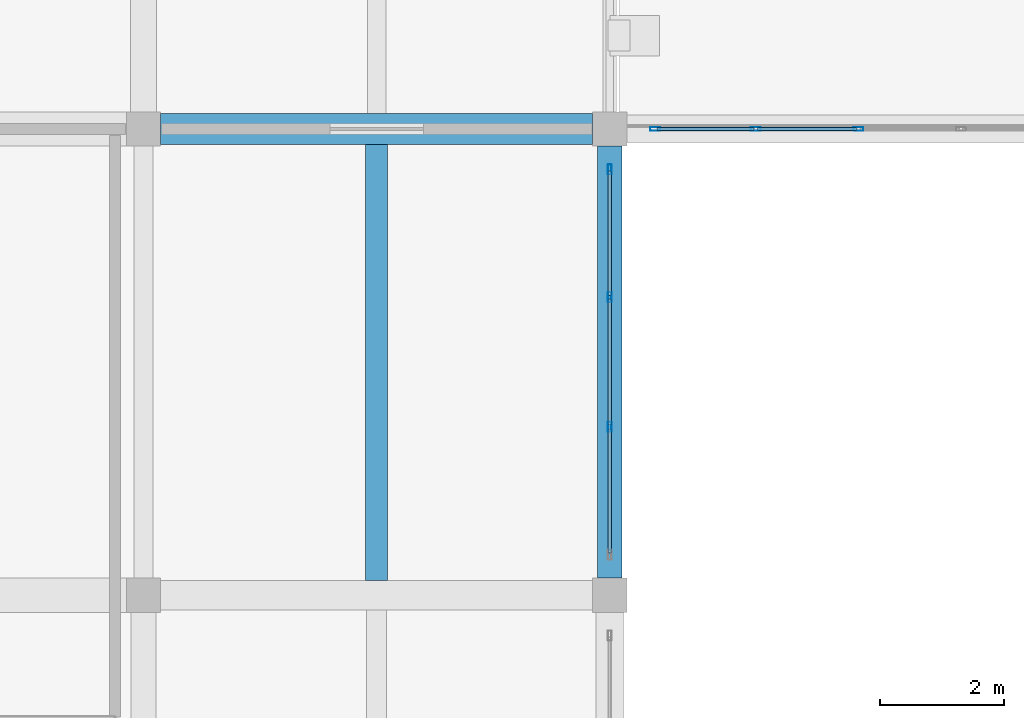
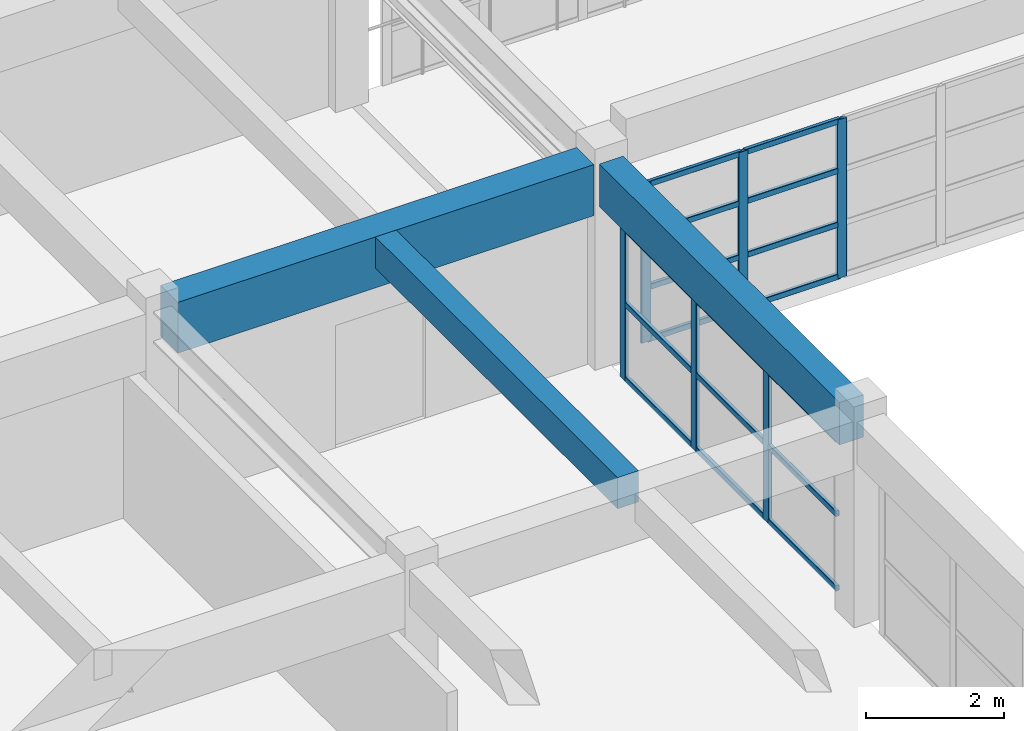
# One storey, part 11 of 101: 23 members, 3 beams, 2 elements without a shape of their own.
"""IFC4 building model written with IfcOpenShell, lengths in metres."""

from ifc_helpers import new_model, si_unit, direction, frame, origin, origin_2d, place, context, subcontext, project, spatial, rectangle, hollow_rectangle, extrude, material, material_profile, profile_set, type_object, element, aggregate, save


model = new_model("IFC4")

# Units and contexts
model_context = context("Model", 3, precision=1e-05, world=origin(), true_north=direction((0.0, 1.0)))
body_context = subcontext(model_context, "Body", "Model", "MODEL_VIEW")
ifc_project = project(units=[si_unit("LENGTHUNIT", "METRE"), si_unit("AREAUNIT", "SQUARE_METRE"), si_unit("VOLUMEUNIT", "CUBIC_METRE"), si_unit("PLANEANGLEUNIT", "RADIAN"), si_unit("MASSUNIT", "GRAM", prefix="KILO")], contexts=[model_context])

# Site, building, storey
site_placement = place(None, origin())
site = spatial("IfcSite", under=ifc_project, at=site_placement, CompositionType="ELEMENT")
building_placement = place(site_placement, origin())
building = spatial("IfcBuilding", under=site, at=building_placement, Name="Qasida Concert Hall", CompositionType="ELEMENT")
storey_placement = place(building_placement, frame((0.0, 0.0, 13.199951171875)))
storey = spatial("IfcBuildingStorey", under=building, at=storey_placement, Name="L03", CompositionType="ELEMENT", Elevation=13.199951171875)

# Beams
ifc_material_1 = material(Name="Concrete C40/50", Category="concrete")
ifc_material_profile_1 = material_profile(ifc_material_1, rectangle(XDim=0.5, YDim=0.89990234375, at=origin_2d()), Name="RC 500x900")
ifc_profile_set_1 = profile_set([ifc_material_profile_1], Name="Concrete C40/50")
beam_type_1 = type_object("IfcBeamType", Name="BM-G1", PredefinedType="USERDEFINED", material=ifc_profile_set_1)
beam_1_placement = place(storey_placement, frame((30.27490234375, 30.0, 3.170166015625), z_axis=(1.0, 0.0, 0.0), x_axis=(0.0, 1.0, 0.0)))
element("IfcBeam", 1, at=beam_1_placement, inside=storey, type_object=beam_type_1, Name="Primary girder 1606", ObjectType="GIRDER", PredefinedType="USERDEFINED", context=body_context, shape_type="SweptSolid", body=[
    extrude(rectangle(XDim=0.5, YDim=0.89990234375, at=origin_2d()), origin(), (0.0, 0.0, 1.0), 6.9501953125),
])
ifc_material_profile_2 = material_profile(ifc_material_1, rectangle(XDim=0.35009765625, YDim=0.550048828125, at=origin_2d()), Name="RC 350x550")
ifc_profile_set_2 = profile_set([ifc_material_profile_2], Name="Concrete C40/50")
beam_type_2 = type_object("IfcBeamType", Name="BM-J8", PredefinedType="JOIST", material=ifc_profile_set_2)
beam_2_placement = place(storey_placement, frame((33.75, 22.739990234375, 3.344970703125), z_axis=(0.0, 1.0, 0.0), x_axis=(-1.0, 0.0, 0.0)))
element("IfcBeam", 2, at=beam_2_placement, inside=storey, type_object=beam_type_2, Name="L03 secondary joist 1655", PredefinedType="JOIST", context=body_context, shape_type="SweptSolid", body=[
    extrude(rectangle(XDim=0.35009765625, YDim=0.550048828125, at=origin_2d()), origin(), (0.0, 0.0, 1.0), 7.010009765625),
])
ifc_material_profile_3 = material_profile(ifc_material_1, rectangle(XDim=0.39990234375, YDim=0.75, at=origin_2d()), Name="RC 400x750")
ifc_profile_set_3 = profile_set([ifc_material_profile_3], Name="Concrete C40/50")
beam_type_3 = type_object("IfcBeamType", Name="BM-SP1", PredefinedType="SPANDREL", material=ifc_profile_set_3)
beam_3_placement = place(storey_placement, frame((37.5, 22.77490234375, 3.2451171875), z_axis=(0.0, 1.0, 0.0), x_axis=(-1.0, 0.0, 0.0)))
element("IfcBeam", 3, at=beam_3_placement, inside=storey, type_object=beam_type_3, Name="L03 girder 1632", PredefinedType="SPANDREL", context=body_context, shape_type="SweptSolid", body=[
    extrude(rectangle(XDim=0.39990234375, YDim=0.75, at=origin_2d()), origin(), (0.0, 0.0, 1.0), 6.9501953125),
])

# Curtain wall, members
ifc_material_2 = material(Name="Architectural bronze-anodized aluminium and low-E glass", Category="aluminium")
curtain_wall_type = type_object("IfcCurtainWallType", Name="CW-09", PredefinedType="NOTDEFINED", material=ifc_material_2)
curtain_wall_1_placement = place(storey_placement, origin())
curtain_wall_1 = element("IfcCurtainWall", 4, at=curtain_wall_1_placement, inside=storey, type_object=curtain_wall_type, Name="L03 curtain wall CW-09 0126", PredefinedType="NOTDEFINED")
ifc_material_3 = material(Name="Architectural bronze-anodized aluminium EN AW-6063", Category="aluminium")
ifc_material_profile_4 = material_profile(ifc_material_3, hollow_rectangle(XDim=0.06005859375, YDim=0.159912109375, WallThickness=0.00390625, InnerFilletRadius=0.00390625, OuterFilletRadius=0.008056640625, at=origin_2d()), Name="CWM 160x60x4")
ifc_profile_set_4 = profile_set([ifc_material_profile_4], Name="Architectural bronze-anodized aluminium EN AW-6063")
member_type_1 = type_object("IfcMemberType", Name="MB-CWM-3", PredefinedType="MULLION", material=ifc_profile_set_4)
member_1_placement = place(storey_placement, frame((37.5, 25.206787109375, 0.0), z_axis=(0.0, 0.0, 1.0), x_axis=(-1.0, 0.0, 0.0)))
member_1 = element("IfcMember", 5, at=member_1_placement, type_object=member_type_1, Name="CW-09 mullion 2", PredefinedType="MULLION", context=body_context, shape_type="SweptSolid", body=[
    extrude(hollow_rectangle(XDim=0.06005859375, YDim=0.159912109375, WallThickness=0.00390625, InnerFilletRadius=0.00390625, OuterFilletRadius=0.008056640625, at=origin_2d()), origin(), (0.0, 0.0, 1.0), 2.68994140625),
])
member_2_placement = place(storey_placement, frame((37.5, 27.293212890625, 0.0), z_axis=(0.0, 0.0, 1.0), x_axis=(-1.0, 0.0, 0.0)))
member_2 = element("IfcMember", 6, at=member_2_placement, type_object=member_type_1, Name="CW-09 mullion 3", PredefinedType="MULLION", context=body_context, shape_type="SweptSolid", body=[
    extrude(hollow_rectangle(XDim=0.06005859375, YDim=0.159912109375, WallThickness=0.00390625, InnerFilletRadius=0.00390625, OuterFilletRadius=0.008056640625, at=origin_2d()), origin(), (0.0, 0.0, 1.0), 2.68994140625),
])
member_3_placement = place(storey_placement, frame((37.5, 29.35009765625, 0.0), z_axis=(0.0, 0.0, 1.0), x_axis=(-1.0, 0.0, 0.0)))
member_3 = element("IfcMember", 7, at=member_3_placement, type_object=member_type_1, Name="CW-09 mullion 4", PredefinedType="MULLION", context=body_context, shape_type="SweptSolid", body=[
    extrude(hollow_rectangle(XDim=0.06005859375, YDim=0.159912109375, WallThickness=0.00390625, InnerFilletRadius=0.00390625, OuterFilletRadius=0.008056640625, at=origin_2d()), origin(), (0.0, 0.0, 1.0), 2.68994140625),
])

curtain_wall_2_placement = place(storey_placement, origin())
curtain_wall_2 = element("IfcCurtainWall", 8, at=curtain_wall_2_placement, inside=storey, type_object=curtain_wall_type, Name="L03 link bridge glazing 0206", PredefinedType="NOTDEFINED")
member_4_placement = place(storey_placement, frame((38.22998046875, 30.0, 0.0), z_axis=(0.0, 0.0, 1.0), x_axis=(0.0, 1.0, 0.0)))
member_4 = element("IfcMember", 9, at=member_4_placement, type_object=member_type_1, Name="CW-09 mullion 1", PredefinedType="MULLION", context=body_context, shape_type="SweptSolid", body=[
    extrude(hollow_rectangle(XDim=0.06005859375, YDim=0.159912109375, WallThickness=0.00390625, InnerFilletRadius=0.00390625, OuterFilletRadius=0.008056640625, at=origin_2d()), origin(), (0.0, 0.0, 1.0), 2.800048828125),
])
member_5_placement = place(storey_placement, frame((39.85009765625, 30.0, 0.0), z_axis=(0.0, 0.0, 1.0), x_axis=(0.0, 1.0, 0.0)))
member_5 = element("IfcMember", 10, at=member_5_placement, type_object=member_type_1, Name="CW-09 mullion 2", PredefinedType="MULLION", context=body_context, shape_type="SweptSolid", body=[
    extrude(hollow_rectangle(XDim=0.06005859375, YDim=0.159912109375, WallThickness=0.00390625, InnerFilletRadius=0.00390625, OuterFilletRadius=0.008056640625, at=origin_2d()), origin(), (0.0, 0.0, 1.0), 2.800048828125),
])
member_6_placement = place(storey_placement, frame((41.5, 30.0, 0.0), z_axis=(0.0, 0.0, 1.0), x_axis=(0.0, 1.0, 0.0)))
member_6 = element("IfcMember", 11, at=member_6_placement, type_object=member_type_1, Name="CW-09 mullion 3", PredefinedType="MULLION", context=body_context, shape_type="SweptSolid", body=[
    extrude(hollow_rectangle(XDim=0.06005859375, YDim=0.159912109375, WallThickness=0.00390625, InnerFilletRadius=0.00390625, OuterFilletRadius=0.008056640625, at=origin_2d()), origin(), (0.0, 0.0, 1.0), 2.800048828125),
])

# Member
ifc_material_profile_5 = material_profile(ifc_material_3, hollow_rectangle(XDim=0.06005859375, YDim=0.10009765625, WallThickness=0.00341796875, InnerFilletRadius=0.00341796875, OuterFilletRadius=0.007080078125, at=origin_2d()), Name="CWT 100x60x3.5")
ifc_profile_set_5 = profile_set([ifc_material_profile_5], Name="Architectural bronze-anodized aluminium EN AW-6063")
member_type_2 = type_object("IfcMemberType", Name="MB-CWT-3", PredefinedType="USERDEFINED", material=ifc_profile_set_5)
member_7_placement = place(storey_placement, frame((37.5, 23.179931640625, 0.030029296875), z_axis=(0.0, 1.0, 0.0), x_axis=(-1.0, 0.0, 0.0)))
member_7 = element("IfcMember", 12, at=member_7_placement, type_object=member_type_2, Name="CW-09 transom 1.1", ObjectType="TRANSOM", PredefinedType="USERDEFINED", context=body_context, shape_type="SweptSolid", body=[
    extrude(hollow_rectangle(XDim=0.06005859375, YDim=0.10009765625, WallThickness=0.00341796875, InnerFilletRadius=0.00341796875, OuterFilletRadius=0.007080078125, at=origin_2d()), origin(), (0.0, 0.0, 1.0), 1.996826171875),
])

member_8_placement = place(storey_placement, frame((37.5, 23.179931640625, 1.344970703125), z_axis=(0.0, 1.0, 0.0), x_axis=(-1.0, 0.0, 0.0)))
member_8 = element("IfcMember", 13, at=member_8_placement, type_object=member_type_2, Name="CW-09 transom 1.2", ObjectType="TRANSOM", PredefinedType="USERDEFINED", context=body_context, shape_type="SweptSolid", body=[
    extrude(hollow_rectangle(XDim=0.06005859375, YDim=0.10009765625, WallThickness=0.00341796875, InnerFilletRadius=0.00341796875, OuterFilletRadius=0.007080078125, at=origin_2d()), origin(), (0.0, 0.0, 1.0), 1.996826171875),
])

member_9_placement = place(storey_placement, frame((37.5, 23.179931640625, 2.66015625), z_axis=(0.0, 1.0, 0.0), x_axis=(-1.0, 0.0, 0.0)))
member_9 = element("IfcMember", 14, at=member_9_placement, type_object=member_type_2, Name="CW-09 transom 1.3", ObjectType="TRANSOM", PredefinedType="USERDEFINED", context=body_context, shape_type="SweptSolid", body=[
    extrude(hollow_rectangle(XDim=0.06005859375, YDim=0.10009765625, WallThickness=0.00341796875, InnerFilletRadius=0.00341796875, OuterFilletRadius=0.007080078125, at=origin_2d()), origin(), (0.0, 0.0, 1.0), 1.996826171875),
])

member_10_placement = place(storey_placement, frame((37.5, 25.236572265625, 0.030029296875), z_axis=(0.0, 1.0, 0.0), x_axis=(-1.0, 0.0, 0.0)))
member_10 = element("IfcMember", 15, at=member_10_placement, type_object=member_type_2, Name="CW-09 transom 2.1", ObjectType="TRANSOM", PredefinedType="USERDEFINED", context=body_context, shape_type="SweptSolid", body=[
    extrude(hollow_rectangle(XDim=0.06005859375, YDim=0.10009765625, WallThickness=0.00341796875, InnerFilletRadius=0.00341796875, OuterFilletRadius=0.007080078125, at=origin_2d()), origin(), (0.0, 0.0, 1.0), 2.02685546875),
])

member_11_placement = place(storey_placement, frame((37.5, 25.236572265625, 1.344970703125), z_axis=(0.0, 1.0, 0.0), x_axis=(-1.0, 0.0, 0.0)))
member_11 = element("IfcMember", 16, at=member_11_placement, type_object=member_type_2, Name="CW-09 transom 2.2", ObjectType="TRANSOM", PredefinedType="USERDEFINED", context=body_context, shape_type="SweptSolid", body=[
    extrude(hollow_rectangle(XDim=0.06005859375, YDim=0.10009765625, WallThickness=0.00341796875, InnerFilletRadius=0.00341796875, OuterFilletRadius=0.007080078125, at=origin_2d()), origin(), (0.0, 0.0, 1.0), 2.02685546875),
])

member_12_placement = place(storey_placement, frame((37.5, 25.236572265625, 2.66015625), z_axis=(0.0, 1.0, 0.0), x_axis=(-1.0, 0.0, 0.0)))
member_12 = element("IfcMember", 17, at=member_12_placement, type_object=member_type_2, Name="CW-09 transom 2.3", ObjectType="TRANSOM", PredefinedType="USERDEFINED", context=body_context, shape_type="SweptSolid", body=[
    extrude(hollow_rectangle(XDim=0.06005859375, YDim=0.10009765625, WallThickness=0.00341796875, InnerFilletRadius=0.00341796875, OuterFilletRadius=0.007080078125, at=origin_2d()), origin(), (0.0, 0.0, 1.0), 2.02685546875),
])

member_13_placement = place(storey_placement, frame((37.5, 27.3232421875, 0.030029296875), z_axis=(0.0, 1.0, 0.0), x_axis=(-1.0, 0.0, 0.0)))
member_13 = element("IfcMember", 18, at=member_13_placement, type_object=member_type_2, Name="CW-09 transom 3.1", ObjectType="TRANSOM", PredefinedType="USERDEFINED", context=body_context, shape_type="SweptSolid", body=[
    extrude(hollow_rectangle(XDim=0.06005859375, YDim=0.10009765625, WallThickness=0.00341796875, InnerFilletRadius=0.00341796875, OuterFilletRadius=0.007080078125, at=origin_2d()), origin(), (0.0, 0.0, 1.0), 1.996826171875),
])

member_14_placement = place(storey_placement, frame((37.5, 27.3232421875, 1.344970703125), z_axis=(0.0, 1.0, 0.0), x_axis=(-1.0, 0.0, 0.0)))
member_14 = element("IfcMember", 19, at=member_14_placement, type_object=member_type_2, Name="CW-09 transom 3.2", ObjectType="TRANSOM", PredefinedType="USERDEFINED", context=body_context, shape_type="SweptSolid", body=[
    extrude(hollow_rectangle(XDim=0.06005859375, YDim=0.10009765625, WallThickness=0.00341796875, InnerFilletRadius=0.00341796875, OuterFilletRadius=0.007080078125, at=origin_2d()), origin(), (0.0, 0.0, 1.0), 1.996826171875),
])

member_15_placement = place(storey_placement, frame((37.5, 27.3232421875, 2.66015625), z_axis=(0.0, 1.0, 0.0), x_axis=(-1.0, 0.0, 0.0)))
member_15 = element("IfcMember", 20, at=member_15_placement, type_object=member_type_2, Name="CW-09 transom 3.3", ObjectType="TRANSOM", PredefinedType="USERDEFINED", context=body_context, shape_type="SweptSolid", body=[
    extrude(hollow_rectangle(XDim=0.06005859375, YDim=0.10009765625, WallThickness=0.00341796875, InnerFilletRadius=0.00341796875, OuterFilletRadius=0.007080078125, at=origin_2d()), origin(), (0.0, 0.0, 1.0), 1.996826171875),
])

aggregate(curtain_wall_1, [member_1, member_2, member_3, member_7, member_8, member_9, member_10, member_11, member_12, member_13, member_14, member_15])

member_16_placement = place(storey_placement, frame((38.260009765625, 30.0, 0.030029296875), z_axis=(1.0, 0.0, 0.0), x_axis=(0.0, 1.0, 0.0)))
member_16 = element("IfcMember", 21, at=member_16_placement, type_object=member_type_2, Name="CW-09 transom 1.1", ObjectType="TRANSOM", PredefinedType="USERDEFINED", context=body_context, shape_type="SweptSolid", body=[
    extrude(hollow_rectangle(XDim=0.06005859375, YDim=0.10009765625, WallThickness=0.00341796875, InnerFilletRadius=0.00341796875, OuterFilletRadius=0.007080078125, at=origin_2d()), origin(), (0.0, 0.0, 1.0), 1.56005859375),
])

member_17_placement = place(storey_placement, frame((38.260009765625, 30.0, 0.949951171875), z_axis=(1.0, 0.0, 0.0), x_axis=(0.0, 1.0, 0.0)))
member_17 = element("IfcMember", 22, at=member_17_placement, type_object=member_type_2, Name="CW-09 transom 1.2", ObjectType="TRANSOM", PredefinedType="USERDEFINED", context=body_context, shape_type="SweptSolid", body=[
    extrude(hollow_rectangle(XDim=0.06005859375, YDim=0.10009765625, WallThickness=0.00341796875, InnerFilletRadius=0.00341796875, OuterFilletRadius=0.007080078125, at=origin_2d()), origin(), (0.0, 0.0, 1.0), 1.56005859375),
])

member_18_placement = place(storey_placement, frame((38.260009765625, 30.0, 1.900146484375), z_axis=(1.0, 0.0, 0.0), x_axis=(0.0, 1.0, 0.0)))
member_18 = element("IfcMember", 23, at=member_18_placement, type_object=member_type_2, Name="CW-09 transom 1.3", ObjectType="TRANSOM", PredefinedType="USERDEFINED", context=body_context, shape_type="SweptSolid", body=[
    extrude(hollow_rectangle(XDim=0.06005859375, YDim=0.10009765625, WallThickness=0.00341796875, InnerFilletRadius=0.00341796875, OuterFilletRadius=0.007080078125, at=origin_2d()), origin(), (0.0, 0.0, 1.0), 1.56005859375),
])

member_19_placement = place(storey_placement, frame((38.260009765625, 30.0, 2.77001953125), z_axis=(1.0, 0.0, 0.0), x_axis=(0.0, 1.0, 0.0)))
member_19 = element("IfcMember", 24, at=member_19_placement, type_object=member_type_2, Name="CW-09 transom 1.4", ObjectType="TRANSOM", PredefinedType="USERDEFINED", context=body_context, shape_type="SweptSolid", body=[
    extrude(hollow_rectangle(XDim=0.06005859375, YDim=0.10009765625, WallThickness=0.00341796875, InnerFilletRadius=0.00341796875, OuterFilletRadius=0.007080078125, at=origin_2d()), origin(), (0.0, 0.0, 1.0), 1.56005859375),
])

member_20_placement = place(storey_placement, frame((39.8798828125, 30.0, 0.030029296875), z_axis=(1.0, 0.0, 0.0), x_axis=(0.0, 1.0, 0.0)))
member_20 = element("IfcMember", 25, at=member_20_placement, type_object=member_type_2, Name="CW-09 transom 2.1", ObjectType="TRANSOM", PredefinedType="USERDEFINED", context=body_context, shape_type="SweptSolid", body=[
    extrude(hollow_rectangle(XDim=0.06005859375, YDim=0.10009765625, WallThickness=0.00341796875, InnerFilletRadius=0.00341796875, OuterFilletRadius=0.007080078125, at=origin_2d()), origin(), (0.0, 0.0, 1.0), 1.590087890625),
])

member_21_placement = place(storey_placement, frame((39.8798828125, 30.0, 0.949951171875), z_axis=(1.0, 0.0, 0.0), x_axis=(0.0, 1.0, 0.0)))
member_21 = element("IfcMember", 26, at=member_21_placement, type_object=member_type_2, Name="CW-09 transom 2.2", ObjectType="TRANSOM", PredefinedType="USERDEFINED", context=body_context, shape_type="SweptSolid", body=[
    extrude(hollow_rectangle(XDim=0.06005859375, YDim=0.10009765625, WallThickness=0.00341796875, InnerFilletRadius=0.00341796875, OuterFilletRadius=0.007080078125, at=origin_2d()), origin(), (0.0, 0.0, 1.0), 1.590087890625),
])

member_22_placement = place(storey_placement, frame((39.8798828125, 30.0, 1.900146484375), z_axis=(1.0, 0.0, 0.0), x_axis=(0.0, 1.0, 0.0)))
member_22 = element("IfcMember", 27, at=member_22_placement, type_object=member_type_2, Name="CW-09 transom 2.3", ObjectType="TRANSOM", PredefinedType="USERDEFINED", context=body_context, shape_type="SweptSolid", body=[
    extrude(hollow_rectangle(XDim=0.06005859375, YDim=0.10009765625, WallThickness=0.00341796875, InnerFilletRadius=0.00341796875, OuterFilletRadius=0.007080078125, at=origin_2d()), origin(), (0.0, 0.0, 1.0), 1.590087890625),
])

member_23_placement = place(storey_placement, frame((39.8798828125, 30.0, 2.77001953125), z_axis=(1.0, 0.0, 0.0), x_axis=(0.0, 1.0, 0.0)))
member_23 = element("IfcMember", 28, at=member_23_placement, type_object=member_type_2, Name="CW-09 transom 2.4", ObjectType="TRANSOM", PredefinedType="USERDEFINED", context=body_context, shape_type="SweptSolid", body=[
    extrude(hollow_rectangle(XDim=0.06005859375, YDim=0.10009765625, WallThickness=0.00341796875, InnerFilletRadius=0.00341796875, OuterFilletRadius=0.007080078125, at=origin_2d()), origin(), (0.0, 0.0, 1.0), 1.590087890625),
])

aggregate(curtain_wall_2, [member_4, member_5, member_6, member_16, member_17, member_18, member_19, member_20, member_21, member_22, member_23])

save(model, "model.ifc")
